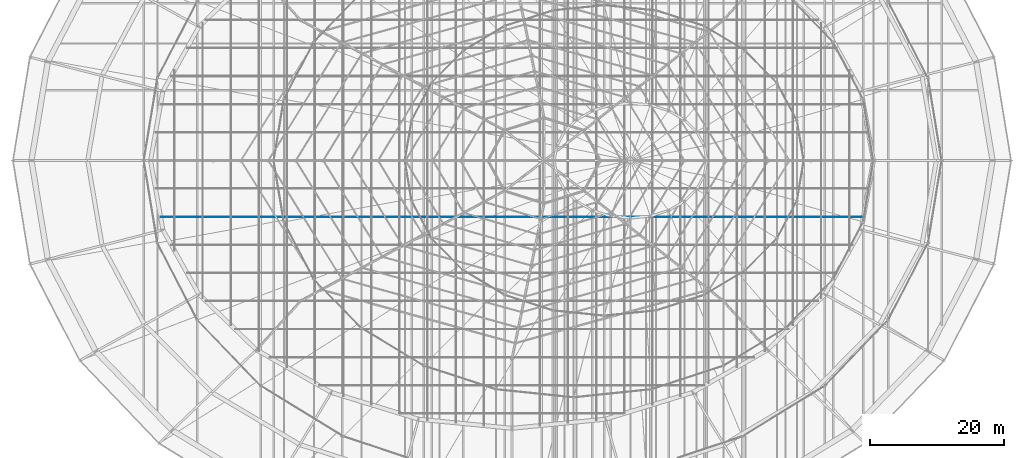
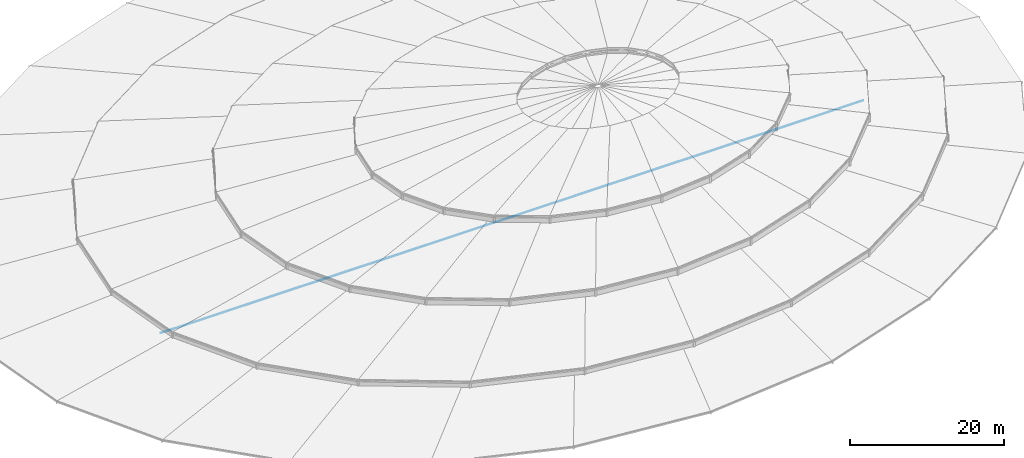
# One storey, part 52 of 184: 1 member.
"""IFC4 building model written with IfcOpenShell, lengths in metres."""

from ifc_helpers import new_model, si_unit, direction, frame, origin, origin_2d, place, context, subcontext, project, spatial, circle, extrude, material, material_profile, profile_set, type_object, element, save


model = new_model("IFC4")

# Units and contexts
model_context = context("Model", 3, precision=1e-05, world=origin(), true_north=direction((0.0, 1.0)))
body_context = subcontext(model_context, "Body", "Model", "MODEL_VIEW")
ifc_project = project(units=[si_unit("LENGTHUNIT", "METRE"), si_unit("AREAUNIT", "SQUARE_METRE"), si_unit("VOLUMEUNIT", "CUBIC_METRE"), si_unit("PLANEANGLEUNIT", "RADIAN"), si_unit("MASSUNIT", "GRAM", prefix="KILO")], contexts=[model_context])

# Site, building, storey
site_placement = place(None, origin())
site = spatial("IfcSite", under=ifc_project, at=site_placement, CompositionType="ELEMENT")
building_placement = place(site_placement, origin())
building = spatial("IfcBuilding", under=site, at=building_placement, Name="Kalgoora Escarpment Arena", CompositionType="ELEMENT")
storey_placement = place(building_placement, frame((0.0, 0.0, 27.60009765625)))
storey = spatial("IfcBuildingStorey", under=building, at=storey_placement, Name="Roof Level", CompositionType="ELEMENT", Elevation=27.60009765625)

# Member
ifc_material = material(Name="High-tensile spiral strand steel Grade 450 (350 MPa)", Category="steel")
ifc_material_profile = material_profile(ifc_material, circle(Radius=0.0439453125, at=origin_2d()))
ifc_profile_set = profile_set([ifc_material_profile], Name="High-tensile spiral strand steel Grade 450 (350 MPa)")
member_type = type_object("IfcMemberType", Name="MEM-CABLE-88", PredefinedType="USERDEFINED", material=ifc_profile_set)
member_placement = place(storey_placement, frame((39.892822265625, 55.60009765625, -1.25), z_axis=(1.0, 0.0, 0.0), x_axis=(0.0, 1.0, 0.0)))
element("IfcMember", 1, at=member_placement, inside=storey, type_object=member_type, Name="Roof saddle hanging cable X-08", ObjectType="CABLE", PredefinedType="USERDEFINED", context=body_context, shape_type="SweptSolid", body=[
    extrude(circle(Radius=0.0439453125, at=origin_2d()), origin(), (0.0, 0.0, 1.0), 105.01416015625),
])

save(model, "model.ifc")
